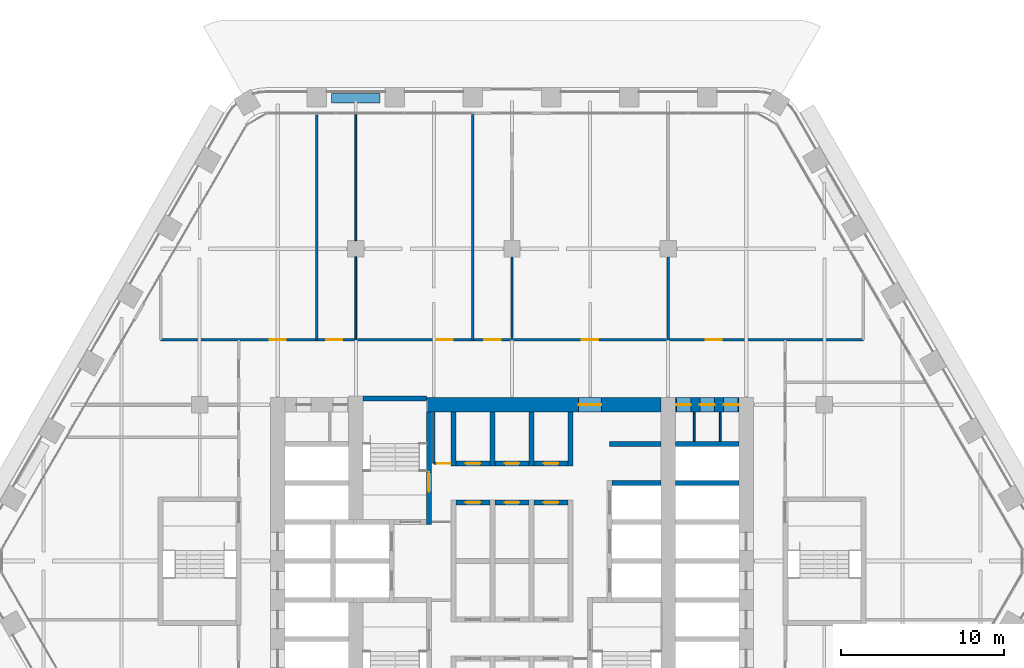
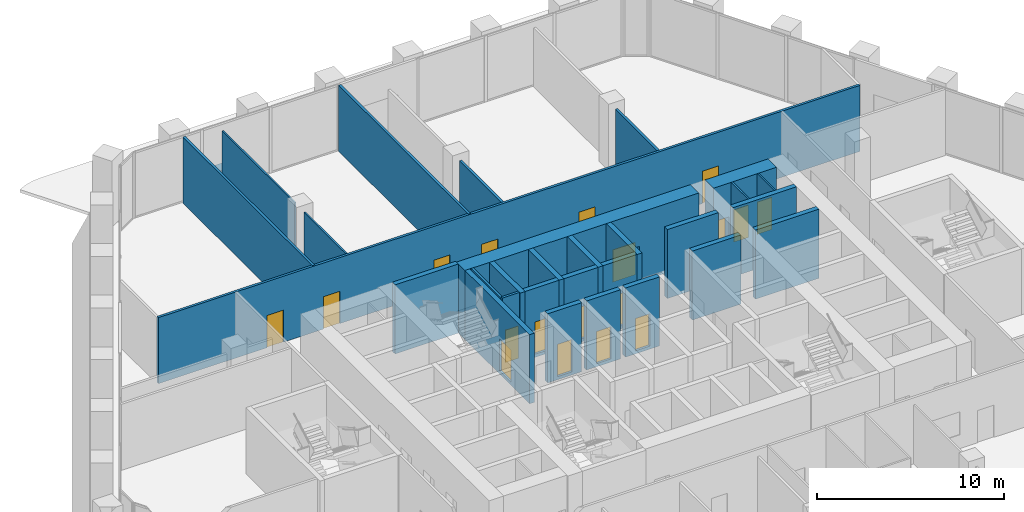
# One storey, part 16 of 23: 30 walls, 18 doors, 18 openings.
"""IFC4 building model written with IfcOpenShell, lengths in metres."""

from ifc_helpers import new_model, si_unit, direction, frame, frame_2d, origin, place, context, subcontext, project, spatial, rectangle, extrude, material, layer, layer_set, type_object, element, fill, save


model = new_model("IFC4")

# Units and contexts
model_context = context("Model", 3, precision=1e-05, world=origin(), true_north=direction((0.0, 1.0)))
body_context = subcontext(model_context, "Body", "Model", "MODEL_VIEW")
ifc_project = project(units=[si_unit("LENGTHUNIT", "METRE"), si_unit("AREAUNIT", "SQUARE_METRE"), si_unit("VOLUMEUNIT", "CUBIC_METRE"), si_unit("PLANEANGLEUNIT", "RADIAN"), si_unit("MASSUNIT", "GRAM", prefix="KILO")], contexts=[model_context])

# Site, building, storey
site_placement = place(None, origin())
site = spatial("IfcSite", under=ifc_project, at=site_placement, CompositionType="ELEMENT")
building_placement = place(site_placement, origin())
building = spatial("IfcBuilding", under=site, at=building_placement, Name="Kolab Exchange Tower", CompositionType="ELEMENT")
storey_placement = place(building_placement, frame((0.0, 0.0, 77.89990234375)))
storey = spatial("IfcBuildingStorey", under=building, at=storey_placement, Name="L14", CompositionType="ELEMENT", Elevation=77.89990234375)

# Wall, opening, door
ifc_material_1 = material(Name="Concrete C70/85", Category="concrete")
ifc_layer_1 = layer(ifc_material_1, 0.89990234375)
ifc_layer_set_1 = layer_set([ifc_layer_1], Name="Concrete C70/85")
wall_type_1 = type_object("IfcWallType", Name="CORE WALL 900 C70/85", PredefinedType="SHEAR", material=ifc_layer_set_1)
wall_1_placement = place(storey_placement, frame((-5.25, 9.60009765625, -0.199951171875), z_axis=(0.0, 0.0, 1.0), x_axis=(1.0, 0.0, 0.0)))
wall_1 = element("IfcWall", 1, at=wall_1_placement, inside=storey, type_object=wall_type_1, Name="wall/L14/core/052", PredefinedType="SHEAR", context=body_context, shape_type="SweptSolid", body=[
    extrude(rectangle(XDim=14.39990234375, YDim=0.89990234375, at=frame_2d((7.199951171875, 0.0))), origin(), (0.0, 0.0, 1.0), 4.5),
])
opening_1_placement = place(wall_1_placement, frame((9.35009765625, 0.0, 0.199951171875)))
opening_1 = element("IfcOpeningElement", 2, at=opening_1_placement, cuts=wall_1, Name="Opening D5-008", PredefinedType="OPENING", context=body_context, shape_type="SweptSolid", body=[
    extrude(rectangle(XDim=1.39990234375, YDim=2.10009765625, at=frame_2d((0.699951171875, 1.050048828125))), frame((0.0, 0.4599609375, 0.0), z_axis=(0.0, -1.0, 0.0), x_axis=(1.0, 0.0, 0.0)), (0.0, 0.0, 1.0), 0.919921875),
])
ifc_material_2 = material(Name="Steel S235", Category="steel")
door_type_1 = type_object("IfcDoorType", Name="CORE DOOR 1400 EI 120", OperationType="DOUBLE_DOOR_SINGLE_SWING", PredefinedType="DOOR", material=ifc_material_2)
door_1_placement = place(opening_1_placement, frame((1.39990234375, 0.0, 0.0), z_axis=(0.0, 0.0, 1.0), x_axis=(-1.0, 0.0, 0.0)))
door_1 = element("IfcDoor", 3, at=door_1_placement, inside=storey, type_object=door_type_1, Name="Core lobby door", OperationType="SINGLE_SWING_LEFT", OverallHeight=2.10009765625, OverallWidth=1.39990234375, PredefinedType="DOOR", context=body_context, shape_type="SweptSolid", body=[
    extrude(rectangle(XDim=1.39990234375, YDim=2.10009765625, at=frame_2d((0.699951171875, 1.050048828125))), frame((0.0, 0.02490234375, 0.0), z_axis=(0.0, -1.0, 0.0), x_axis=(1.0, 0.0, 0.0)), (0.0, 0.0, 1.0), 0.050048828125),
])
fill(opening_1, door_1)

# Wall, openings, doors
wall_2_placement = place(storey_placement, frame((10.050048828125, 9.60009765625, -0.199951171875), z_axis=(0.0, 0.0, 1.0), x_axis=(1.0, 0.0, 0.0)))
wall_2 = element("IfcWall", 4, at=wall_2_placement, inside=storey, type_object=wall_type_1, Name="wall/L14/core/053", PredefinedType="SHEAR", context=body_context, shape_type="SweptSolid", body=[
    extrude(rectangle(XDim=3.89990234375, YDim=0.89990234375, at=frame_2d((1.949951171875, 0.0))), origin(), (0.0, 0.0, 1.0), 4.5),
])
opening_2_placement = place(wall_2_placement, frame((0.050048828125, 0.0, 0.199951171875)))
opening_2 = element("IfcOpeningElement", 5, at=opening_2_placement, cuts=wall_2, Name="Opening D6-211", PredefinedType="OPENING", context=body_context, shape_type="SweptSolid", body=[
    extrude(rectangle(XDim=0.89990234375, YDim=2.10009765625, at=frame_2d((0.449951171875, 1.050048828125))), frame((0.0, 0.4599609375, 0.0), z_axis=(0.0, -1.0, 0.0), x_axis=(1.0, 0.0, 0.0)), (0.0, 0.0, 1.0), 0.919921875),
])
opening_3_placement = place(wall_2_placement, frame((1.5, 0.0, 0.199951171875)))
opening_3 = element("IfcOpeningElement", 6, at=opening_3_placement, cuts=wall_2, Name="Opening D6-212", PredefinedType="OPENING", context=body_context, shape_type="SweptSolid", body=[
    extrude(rectangle(XDim=0.89990234375, YDim=2.10009765625, at=frame_2d((0.449951171875, 1.050048828125))), frame((0.0, 0.4599609375, 0.0), z_axis=(0.0, -1.0, 0.0), x_axis=(1.0, 0.0, 0.0)), (0.0, 0.0, 1.0), 0.919921875),
])
opening_4_placement = place(wall_2_placement, frame((2.949951171875, 0.0, 0.199951171875)))
opening_4 = element("IfcOpeningElement", 7, at=opening_4_placement, cuts=wall_2, Name="Opening D6-213", PredefinedType="OPENING", context=body_context, shape_type="SweptSolid", body=[
    extrude(rectangle(XDim=0.89990234375, YDim=2.10009765625, at=frame_2d((0.449951171875, 1.050048828125))), frame((0.0, 0.4599609375, 0.0), z_axis=(0.0, -1.0, 0.0), x_axis=(1.0, 0.0, 0.0)), (0.0, 0.0, 1.0), 0.919921875),
])
door_type_2 = type_object("IfcDoorType", Name="CORE DOOR 900 EI 120", OperationType="SINGLE_SWING_LEFT", PredefinedType="DOOR", material=ifc_material_2)
door_2_placement = place(opening_2_placement, frame((0.89990234375, 0.0, 0.0), z_axis=(0.0, 0.0, 1.0), x_axis=(-1.0, 0.0, 0.0)))
door_2 = element("IfcDoor", 8, at=door_2_placement, inside=storey, type_object=door_type_2, Name="Service room door", OperationType="SINGLE_SWING_RIGHT", OverallHeight=2.10009765625, OverallWidth=0.89990234375, PredefinedType="DOOR", context=body_context, shape_type="SweptSolid", body=[
    extrude(rectangle(XDim=0.89990234375, YDim=2.10009765625, at=frame_2d((0.449951171875, 1.050048828125))), frame((0.0, 0.02490234375, 0.0), z_axis=(0.0, -1.0, 0.0), x_axis=(1.0, 0.0, 0.0)), (0.0, 0.0, 1.0), 0.050048828125),
])
fill(opening_2, door_2)
door_3_placement = place(opening_3_placement, frame((0.89990234375, 0.0, 0.0), z_axis=(0.0, 0.0, 1.0), x_axis=(-1.0, 0.0, 0.0)))
door_3 = element("IfcDoor", 9, at=door_3_placement, inside=storey, type_object=door_type_2, Name="Service room door", OperationType="SINGLE_SWING_LEFT", OverallHeight=2.10009765625, OverallWidth=0.89990234375, PredefinedType="DOOR", context=body_context, shape_type="SweptSolid", body=[
    extrude(rectangle(XDim=0.89990234375, YDim=2.10009765625, at=frame_2d((0.449951171875, 1.050048828125))), frame((0.0, 0.02490234375, 0.0), z_axis=(0.0, -1.0, 0.0), x_axis=(1.0, 0.0, 0.0)), (0.0, 0.0, 1.0), 0.050048828125),
])
fill(opening_3, door_3)
door_4_placement = place(opening_4_placement, frame((0.89990234375, 0.0, 0.0), z_axis=(0.0, 0.0, 1.0), x_axis=(-1.0, 0.0, 0.0)))
door_4 = element("IfcDoor", 10, at=door_4_placement, inside=storey, type_object=door_type_2, Name="Service room door", OperationType="SINGLE_SWING_LEFT", OverallHeight=2.10009765625, OverallWidth=0.89990234375, PredefinedType="DOOR", context=body_context, shape_type="SweptSolid", body=[
    extrude(rectangle(XDim=0.89990234375, YDim=2.10009765625, at=frame_2d((0.449951171875, 1.050048828125))), frame((0.0, 0.02490234375, 0.0), z_axis=(0.0, -1.0, 0.0), x_axis=(1.0, 0.0, 0.0)), (0.0, 0.0, 1.0), 0.050048828125),
])
fill(opening_4, door_4)

# Wall, opening, door
ifc_material_3 = material(Name="Concrete C50/60", Category="concrete")
ifc_layer_2 = layer(ifc_material_3, 0.300048828125)
ifc_layer_set_2 = layer_set([ifc_layer_2], Name="Concrete C50/60")
wall_type_2 = type_object("IfcWallType", Name="LIFT SHAFT WALL 300 C50/60", PredefinedType="STANDARD", material=ifc_layer_set_2)
wall_3_placement = place(storey_placement, frame((-3.449951171875, 3.60009765625, -0.199951171875), z_axis=(0.0, 0.0, 1.0), x_axis=(1.0, 0.0, 0.0)))
wall_3 = element("IfcWall", 11, at=wall_3_placement, inside=storey, type_object=wall_type_2, Name="wall/L14/core/037", PredefinedType="STANDARD", context=body_context, shape_type="SweptSolid", body=[
    extrude(rectangle(XDim=2.099853515625, YDim=0.300048828125, at=frame_2d((1.0498046875, 0.0))), origin(), (0.0, 0.0, 1.0), 4.5),
])
opening_5_placement = place(wall_3_placement, frame((0.60009765625, 0.0, 0.199951171875)))
opening_5 = element("IfcOpeningElement", 12, at=opening_5_placement, cuts=wall_3, Name="Opening D6-196", PredefinedType="OPENING", context=body_context, shape_type="SweptSolid", body=[
    extrude(rectangle(XDim=0.89990234375, YDim=2.10009765625, at=frame_2d((0.449951171875, 1.050048828125))), frame((0.0, 0.16015625, 0.0), z_axis=(0.0, -1.0, 0.0), x_axis=(1.0, 0.0, 0.0)), (0.0, 0.0, 1.0), 0.320068359375),
])
door_5_placement = place(opening_5_placement, frame((0.89990234375, 0.0, 0.0), z_axis=(0.0, 0.0, 1.0), x_axis=(-1.0, 0.0, 0.0)))
door_5 = element("IfcDoor", 13, at=door_5_placement, inside=storey, type_object=door_type_2, Name="Service room door", OperationType="SINGLE_SWING_LEFT", OverallHeight=2.10009765625, OverallWidth=0.89990234375, PredefinedType="DOOR", context=body_context, shape_type="SweptSolid", body=[
    extrude(rectangle(XDim=0.89990234375, YDim=2.10009765625, at=frame_2d((0.449951171875, 1.050048828125))), frame((0.0, 0.02490234375, 0.0), z_axis=(0.0, -1.0, 0.0), x_axis=(1.0, 0.0, 0.0)), (0.0, 0.0, 1.0), 0.050048828125),
])
fill(opening_5, door_5)

wall_4_placement = place(storey_placement, frame((-1.050048828125, 3.60009765625, -0.199951171875), z_axis=(0.0, 0.0, 1.0), x_axis=(1.0, 0.0, 0.0)))
wall_4 = element("IfcWall", 14, at=wall_4_placement, inside=storey, type_object=wall_type_2, Name="wall/L14/core/038", PredefinedType="STANDARD", context=body_context, shape_type="SweptSolid", body=[
    extrude(rectangle(XDim=2.10009765625, YDim=0.300048828125, at=frame_2d((1.050048828125, 0.0))), origin(), (0.0, 0.0, 1.0), 4.5),
])
opening_6_placement = place(wall_4_placement, frame((0.60009765625, 0.0, 0.199951171875)))
opening_6 = element("IfcOpeningElement", 15, at=opening_6_placement, cuts=wall_4, Name="Opening D6-195", PredefinedType="OPENING", context=body_context, shape_type="SweptSolid", body=[
    extrude(rectangle(XDim=0.89990234375, YDim=2.10009765625, at=frame_2d((0.449951171875, 1.050048828125))), frame((0.0, 0.16015625, 0.0), z_axis=(0.0, -1.0, 0.0), x_axis=(1.0, 0.0, 0.0)), (0.0, 0.0, 1.0), 0.320068359375),
])
door_6_placement = place(opening_6_placement, frame((0.89990234375, 0.0, 0.0), z_axis=(0.0, 0.0, 1.0), x_axis=(-1.0, 0.0, 0.0)))
door_6 = element("IfcDoor", 16, at=door_6_placement, inside=storey, type_object=door_type_2, Name="Service room door", OperationType="SINGLE_SWING_LEFT", OverallHeight=2.10009765625, OverallWidth=0.89990234375, PredefinedType="DOOR", context=body_context, shape_type="SweptSolid", body=[
    extrude(rectangle(XDim=0.89990234375, YDim=2.10009765625, at=frame_2d((0.449951171875, 1.050048828125))), frame((0.0, 0.02490234375, 0.0), z_axis=(0.0, -1.0, 0.0), x_axis=(1.0, 0.0, 0.0)), (0.0, 0.0, 1.0), 0.050048828125),
])
fill(opening_6, door_6)

wall_5_placement = place(storey_placement, frame((1.35009765625, 3.60009765625, -0.199951171875), z_axis=(0.0, 0.0, 1.0), x_axis=(1.0, 0.0, 0.0)))
wall_5 = element("IfcWall", 17, at=wall_5_placement, inside=storey, type_object=wall_type_2, Name="wall/L14/core/039", PredefinedType="STANDARD", context=body_context, shape_type="SweptSolid", body=[
    extrude(rectangle(XDim=2.099853515625, YDim=0.300048828125, at=frame_2d((1.0498046875, 0.0))), origin(), (0.0, 0.0, 1.0), 4.5),
])
opening_7_placement = place(wall_5_placement, frame((0.60009765625, 0.0, 0.199951171875)))
opening_7 = element("IfcOpeningElement", 18, at=opening_7_placement, cuts=wall_5, Name="Opening D6-194", PredefinedType="OPENING", context=body_context, shape_type="SweptSolid", body=[
    extrude(rectangle(XDim=0.89990234375, YDim=2.10009765625, at=frame_2d((0.449951171875, 1.050048828125))), frame((0.0, 0.16015625, 0.0), z_axis=(0.0, -1.0, 0.0), x_axis=(1.0, 0.0, 0.0)), (0.0, 0.0, 1.0), 0.320068359375),
])
door_7_placement = place(opening_7_placement, frame((0.89990234375, 0.0, 0.0), z_axis=(0.0, 0.0, 1.0), x_axis=(-1.0, 0.0, 0.0)))
door_7 = element("IfcDoor", 19, at=door_7_placement, inside=storey, type_object=door_type_2, Name="Service room door", OperationType="SINGLE_SWING_RIGHT", OverallHeight=2.10009765625, OverallWidth=0.89990234375, PredefinedType="DOOR", context=body_context, shape_type="SweptSolid", body=[
    extrude(rectangle(XDim=0.89990234375, YDim=2.10009765625, at=frame_2d((0.449951171875, 1.050048828125))), frame((0.0, 0.02490234375, 0.0), z_axis=(0.0, -1.0, 0.0), x_axis=(1.0, 0.0, 0.0)), (0.0, 0.0, 1.0), 0.050048828125),
])
fill(opening_7, door_7)

# Walls
wall_6_placement = place(storey_placement, frame((6.14990234375, 4.800048828125, -0.199951171875), z_axis=(0.0, 0.0, 1.0), x_axis=(1.0, 0.0, 0.0)))
element("IfcWall", 20, at=wall_6_placement, inside=storey, type_object=wall_type_2, Name="wall/L14/core/043", PredefinedType="STANDARD", context=body_context, shape_type="SweptSolid", body=[
    extrude(rectangle(XDim=3.0, YDim=0.300048828125, at=frame_2d((1.5, 0.0))), origin(), (0.0, 0.0, 1.0), 4.5),
])
wall_7_placement = place(storey_placement, frame((10.050048828125, 4.800048828125, -0.199951171875), z_axis=(0.0, 0.0, 1.0), x_axis=(1.0, 0.0, 0.0)))
element("IfcWall", 21, at=wall_7_placement, inside=storey, type_object=wall_type_2, Name="wall/L14/core/044", PredefinedType="STANDARD", context=body_context, shape_type="SweptSolid", body=[
    extrude(rectangle(XDim=3.89990234375, YDim=0.300048828125, at=frame_2d((1.949951171875, 0.0))), origin(), (0.0, 0.0, 1.0), 4.5),
])

# Wall, opening, door
wall_8_placement = place(storey_placement, frame((-3.449951171875, 6.0, -0.199951171875), z_axis=(0.0, 0.0, 1.0), x_axis=(1.0, 0.0, 0.0)))
wall_8 = element("IfcWall", 22, at=wall_8_placement, inside=storey, type_object=wall_type_2, Name="wall/L14/core/045", PredefinedType="STANDARD", context=body_context, shape_type="SweptSolid", body=[
    extrude(rectangle(XDim=2.099853515625, YDim=0.300048828125, at=frame_2d((1.0498046875, 0.0))), origin(), (0.0, 0.0, 1.0), 4.5),
])
opening_8_placement = place(wall_8_placement, frame((0.60009765625, 0.0, 0.199951171875)))
opening_8 = element("IfcOpeningElement", 23, at=opening_8_placement, cuts=wall_8, Name="Opening D6-193", PredefinedType="OPENING", context=body_context, shape_type="SweptSolid", body=[
    extrude(rectangle(XDim=0.89990234375, YDim=2.10009765625, at=frame_2d((0.449951171875, 1.050048828125))), frame((0.0, 0.16015625, 0.0), z_axis=(0.0, -1.0, 0.0), x_axis=(1.0, 0.0, 0.0)), (0.0, 0.0, 1.0), 0.320068359375),
])
door_8_placement = place(opening_8_placement, origin())
door_8 = element("IfcDoor", 24, at=door_8_placement, inside=storey, type_object=door_type_2, Name="Service room door", OperationType="SINGLE_SWING_LEFT", OverallHeight=2.10009765625, OverallWidth=0.89990234375, PredefinedType="DOOR", context=body_context, shape_type="SweptSolid", body=[
    extrude(rectangle(XDim=0.89990234375, YDim=2.10009765625, at=frame_2d((0.449951171875, 1.050048828125))), frame((0.0, 0.02490234375, 0.0), z_axis=(0.0, -1.0, 0.0), x_axis=(1.0, 0.0, 0.0)), (0.0, 0.0, 1.0), 0.050048828125),
])
fill(opening_8, door_8)

wall_9_placement = place(storey_placement, frame((-1.050048828125, 6.0, -0.199951171875), z_axis=(0.0, 0.0, 1.0), x_axis=(1.0, 0.0, 0.0)))
wall_9 = element("IfcWall", 25, at=wall_9_placement, inside=storey, type_object=wall_type_2, Name="wall/L14/core/046", PredefinedType="STANDARD", context=body_context, shape_type="SweptSolid", body=[
    extrude(rectangle(XDim=2.10009765625, YDim=0.300048828125, at=frame_2d((1.050048828125, 0.0))), origin(), (0.0, 0.0, 1.0), 4.5),
])
opening_9_placement = place(wall_9_placement, frame((0.60009765625, 0.0, 0.199951171875)))
opening_9 = element("IfcOpeningElement", 26, at=opening_9_placement, cuts=wall_9, Name="Opening D6-192", PredefinedType="OPENING", context=body_context, shape_type="SweptSolid", body=[
    extrude(rectangle(XDim=0.89990234375, YDim=2.10009765625, at=frame_2d((0.449951171875, 1.050048828125))), frame((0.0, 0.16015625, 0.0), z_axis=(0.0, -1.0, 0.0), x_axis=(1.0, 0.0, 0.0)), (0.0, 0.0, 1.0), 0.320068359375),
])
door_9_placement = place(opening_9_placement, origin())
door_9 = element("IfcDoor", 27, at=door_9_placement, inside=storey, type_object=door_type_2, Name="Service room door", OperationType="SINGLE_SWING_LEFT", OverallHeight=2.10009765625, OverallWidth=0.89990234375, PredefinedType="DOOR", context=body_context, shape_type="SweptSolid", body=[
    extrude(rectangle(XDim=0.89990234375, YDim=2.10009765625, at=frame_2d((0.449951171875, 1.050048828125))), frame((0.0, 0.02490234375, 0.0), z_axis=(0.0, -1.0, 0.0), x_axis=(1.0, 0.0, 0.0)), (0.0, 0.0, 1.0), 0.050048828125),
])
fill(opening_9, door_9)

wall_10_placement = place(storey_placement, frame((1.35009765625, 6.0, -0.199951171875), z_axis=(0.0, 0.0, 1.0), x_axis=(1.0, 0.0, 0.0)))
wall_10 = element("IfcWall", 28, at=wall_10_placement, inside=storey, type_object=wall_type_2, Name="wall/L14/core/047", PredefinedType="STANDARD", context=body_context, shape_type="SweptSolid", body=[
    extrude(rectangle(XDim=2.099853515625, YDim=0.300048828125, at=frame_2d((1.0498046875, 0.0))), origin(), (0.0, 0.0, 1.0), 4.5),
])
opening_10_placement = place(wall_10_placement, frame((0.60009765625, 0.0, 0.199951171875)))
opening_10 = element("IfcOpeningElement", 29, at=opening_10_placement, cuts=wall_10, Name="Opening D6-191", PredefinedType="OPENING", context=body_context, shape_type="SweptSolid", body=[
    extrude(rectangle(XDim=0.89990234375, YDim=2.10009765625, at=frame_2d((0.449951171875, 1.050048828125))), frame((0.0, 0.16015625, 0.0), z_axis=(0.0, -1.0, 0.0), x_axis=(1.0, 0.0, 0.0)), (0.0, 0.0, 1.0), 0.320068359375),
])
door_10_placement = place(opening_10_placement, origin())
door_10 = element("IfcDoor", 30, at=door_10_placement, inside=storey, type_object=door_type_2, Name="Service room door", OperationType="SINGLE_SWING_RIGHT", OverallHeight=2.10009765625, OverallWidth=0.89990234375, PredefinedType="DOOR", context=body_context, shape_type="SweptSolid", body=[
    extrude(rectangle(XDim=0.89990234375, YDim=2.10009765625, at=frame_2d((0.449951171875, 1.050048828125))), frame((0.0, 0.02490234375, 0.0), z_axis=(0.0, -1.0, 0.0), x_axis=(1.0, 0.0, 0.0)), (0.0, 0.0, 1.0), 0.050048828125),
])
fill(opening_10, door_10)

# Walls
wall_11_placement = place(storey_placement, frame((6.0, 7.199951171875, -0.199951171875), z_axis=(0.0, 0.0, 1.0), x_axis=(1.0, 0.0, 0.0)))
element("IfcWall", 31, at=wall_11_placement, inside=storey, type_object=wall_type_2, Name="wall/L14/core/049", PredefinedType="STANDARD", context=body_context, shape_type="SweptSolid", body=[
    extrude(rectangle(XDim=3.14990234375, YDim=0.300048828125, at=frame_2d((1.574951171875, 0.0))), origin(), (0.0, 0.0, 1.0), 4.5),
])
wall_12_placement = place(storey_placement, frame((10.050048828125, 7.199951171875, -0.199951171875), z_axis=(0.0, 0.0, 1.0), x_axis=(1.0, 0.0, 0.0)))
element("IfcWall", 32, at=wall_12_placement, inside=storey, type_object=wall_type_2, Name="wall/L14/core/050", PredefinedType="STANDARD", context=body_context, shape_type="SweptSolid", body=[
    extrude(rectangle(XDim=3.89990234375, YDim=0.300048828125, at=frame_2d((1.949951171875, 0.0))), origin(), (0.0, 0.0, 1.0), 4.5),
])
for number, where, z_axis, x_axis, name in (
    (33, (-3.60009765625, 5.85009765625, -0.199951171875), (0.0, 0.0, 1.0), (0.0, 1.0, 0.0), "wall/L14/core/068"),
    (34, (-1.199951171875, 5.85009765625, -0.199951171875), (0.0, 0.0, 1.0), (0.0, 1.0, 0.0), "wall/L14/core/071"),
    (35, (1.199951171875, 5.85009765625, -0.199951171875), (0.0, 0.0, 1.0), (0.0, 1.0, 0.0), "wall/L14/core/074"),
    (36, (3.60009765625, 5.85009765625, -0.199951171875), (0.0, 0.0, 1.0), (0.0, 1.0, 0.0), "wall/L14/core/077"),
):
    element("IfcWall", number, at=place(storey_placement, frame(where, z_axis=z_axis, x_axis=x_axis)), inside=storey, type_object=wall_type_2, Name=name, PredefinedType="STANDARD", context=body_context, shape_type="SweptSolid", body=[
        extrude(rectangle(XDim=3.2998046875, YDim=0.300048828125, at=frame_2d((1.64990234375, 0.0))), origin(), (0.0, 0.0, 1.0), 4.5),
    ])
ifc_material_4 = material(Name="Gypsum board", Category="gypsum")
ifc_layer_3 = layer(ifc_material_4, 0.10009765625)
ifc_layer_set_3 = layer_set([ifc_layer_3], Name="Gypsum board")
wall_type_3 = type_object("IfcWallType", Name="PARTITION 100", PredefinedType="PARTITIONING", material=ifc_layer_set_3)
for number, where, z_axis, x_axis, name in (
    (37, (12.800048828125, 7.35009765625, 0.0), (0.0, 0.0, 1.0), (0.0, 1.0, 0.0), "Partition 004"),
    (38, (11.199951171875, 7.35009765625, 0.0), (0.0, 0.0, 1.0), (0.0, 1.0, 0.0), "Partition 006"),
):
    element("IfcWall", number, at=place(storey_placement, frame(where, z_axis=z_axis, x_axis=x_axis)), inside=storey, type_object=wall_type_3, Name=name, PredefinedType="PARTITIONING", context=body_context, shape_type="SweptSolid", body=[
        extrude(rectangle(XDim=1.7998046875, YDim=0.10009765625, at=frame_2d((0.89990234375, 0.0))), origin(), (0.0, 0.0, 1.0), 4.300048828125),
    ])
wall_13_placement = place(storey_placement, frame((-9.60009765625, 13.60009765625, 0.0), z_axis=(0.0, 0.0, 1.0), x_axis=(0.0, 1.0, 0.0)))
element("IfcWall", 39, at=wall_13_placement, inside=storey, type_object=wall_type_3, Name="Partition 021", PredefinedType="PARTITIONING", context=body_context, shape_type="SweptSolid", body=[
    extrude(rectangle(XDim=5.099853515625, YDim=0.10009765625, at=frame_2d((2.5498046875, 0.0))), origin(), (0.0, 0.0, 1.0), 3.843017578125),
])
wall_14_placement = place(storey_placement, frame((-9.60009765625, 19.699951171875, 0.0), z_axis=(0.0, 0.0, 1.0), x_axis=(0.0, 1.0, 0.0)))
element("IfcWall", 40, at=wall_14_placement, inside=storey, type_object=wall_type_3, Name="Partition 022", PredefinedType="PARTITIONING", context=body_context, shape_type="SweptSolid", body=[
    extrude(rectangle(XDim=7.728515625, YDim=0.10009765625, at=frame_2d((3.8642578125, 0.0))), origin(), (0.0, 0.0, 1.0), 3.843017578125),
])
ifc_layer_4 = layer(ifc_material_4, 0.14990234375)
ifc_layer_set_4 = layer_set([ifc_layer_4], Name="Gypsum board")
wall_type_4 = type_object("IfcWallType", Name="PARTITION 150 FIRE-RATED", PredefinedType="PARTITIONING", material=ifc_layer_set_4)
for number, where, z_axis, x_axis, name in (
    (41, (9.60009765625, 13.60009765625, 0.0), (0.0, 0.0, 1.0), (0.0, 1.0, 0.0), "Partition 009"),
    (42, (0.0, 13.60009765625, 0.0), (0.0, 0.0, 1.0), (0.0, 1.0, 0.0), "Partition 016"),
):
    element("IfcWall", number, at=place(storey_placement, frame(where, z_axis=z_axis, x_axis=x_axis)), inside=storey, type_object=wall_type_4, Name=name, PredefinedType="PARTITIONING", context=body_context, shape_type="SweptSolid", body=[
        extrude(rectangle(XDim=5.099853515625, YDim=0.14990234375, at=frame_2d((2.5498046875, 0.0))), origin(), (0.0, 0.0, 1.0), 3.843017578125),
    ])
wall_15_placement = place(storey_placement, frame((-2.39990234375, 13.60009765625, 0.0), z_axis=(0.0, 0.0, 1.0), x_axis=(0.0, 1.0, 0.0)))
element("IfcWall", 43, at=wall_15_placement, inside=storey, type_object=wall_type_4, Name="Partition 018", PredefinedType="PARTITIONING", context=body_context, shape_type="SweptSolid", body=[
    extrude(rectangle(XDim=13.83837890625, YDim=0.14990234375, at=frame_2d((6.919189453125, 0.0))), origin(), (0.0, 0.0, 1.0), 4.300048828125),
])
wall_16_placement = place(storey_placement, frame((-4.800048828125, 6.0, 0.0), z_axis=(0.0, 0.0, 1.0), x_axis=(0.0, 1.0, 0.0)))
element("IfcWall", 44, at=wall_16_placement, inside=storey, type_object=wall_type_4, Name="Partition 020", PredefinedType="PARTITIONING", context=body_context, shape_type="SweptSolid", body=[
    extrude(rectangle(XDim=3.14990234375, YDim=0.14990234375, at=frame_2d((1.574951171875, 0.0))), origin(), (0.0, 0.0, 1.0), 4.300048828125),
])
wall_17_placement = place(storey_placement, frame((-12.0, 13.60009765625, 0.0), z_axis=(0.0, 0.0, 1.0), x_axis=(0.0, 1.0, 0.0)))
element("IfcWall", 45, at=wall_17_placement, inside=storey, type_object=wall_type_4, Name="Partition 028", PredefinedType="PARTITIONING", context=body_context, shape_type="SweptSolid", body=[
    extrude(rectangle(XDim=13.828369140625, YDim=0.14990234375, at=frame_2d((6.9140625, 0.0))), origin(), (0.0, 0.0, 1.0), 4.300048828125),
])

# Wall, opening, door
wall_18_placement = place(storey_placement, frame((-4.800048828125, 6.0, 0.0), z_axis=(0.0, 0.0, 1.0), x_axis=(1.0, 0.0, 0.0)))
wall_18 = element("IfcWall", 46, at=wall_18_placement, inside=storey, type_object=wall_type_4, Name="Partition 042", PredefinedType="PARTITIONING", context=body_context, shape_type="SweptSolid", body=[
    extrude(rectangle(XDim=1.050048828125, YDim=0.14990234375, at=frame_2d((0.52490234375, 0.0))), origin(), (0.0, 0.0, 1.0), 4.300048828125),
])
opening_11_placement = place(wall_18_placement, frame((0.199951171875, 0.0, 0.0)))
opening_11 = element("IfcOpeningElement", 47, at=opening_11_placement, cuts=wall_18, Name="Opening D7-018", PredefinedType="OPENING", context=body_context, shape_type="SweptSolid", body=[
    extrude(rectangle(XDim=0.800048828125, YDim=2.10009765625, at=frame_2d((0.39990234375, 1.050048828125))), frame((0.0, 0.0849609375, 0.0), z_axis=(0.0, -1.0, 0.0), x_axis=(1.0, 0.0, 0.0)), (0.0, 0.0, 1.0), 0.169921875),
])
door_type_3 = type_object("IfcDoorType", Name="FLUSH DOOR 800 FD60", OperationType="SINGLE_SWING_LEFT", PredefinedType="DOOR", material=ifc_material_2)
door_11_placement = place(opening_11_placement, origin())
door_11 = element("IfcDoor", 48, at=door_11_placement, inside=storey, type_object=door_type_3, Name="Door L14-042", OperationType="SINGLE_SWING_RIGHT", OverallHeight=2.10009765625, OverallWidth=0.800048828125, PredefinedType="DOOR", context=body_context, shape_type="SweptSolid", body=[
    extrude(rectangle(XDim=0.800048828125, YDim=2.10009765625, at=frame_2d((0.39990234375, 1.050048828125))), frame((0.0, 0.02490234375, 0.0), z_axis=(0.0, -1.0, 0.0), x_axis=(1.0, 0.0, 0.0)), (0.0, 0.0, 1.0), 0.050048828125),
])
fill(opening_11, door_11)

# Wall, openings, doors
wall_19_placement = place(storey_placement, frame((-21.60009765625, 13.60009765625, 0.0), z_axis=(0.0, 0.0, 1.0), x_axis=(1.0, 0.0, 0.0)))
wall_19 = element("IfcWall", 49, at=wall_19_placement, inside=storey, type_object=wall_type_4, Name="Partition 047", PredefinedType="PARTITIONING", context=body_context, shape_type="SweptSolid", body=[
    extrude(rectangle(XDim=43.2001953125, YDim=0.14990234375, at=frame_2d((21.60009765625, 0.0))), origin(), (0.0, 0.0, 1.0), 4.300048828125),
])
opening_12_placement = place(wall_19_placement, frame((6.699951171875, 0.0, 0.0)))
opening_12 = element("IfcOpeningElement", 50, at=opening_12_placement, cuts=wall_19, Name="Opening D1-200", PredefinedType="OPENING", context=body_context, shape_type="SweptSolid", body=[
    extrude(rectangle(XDim=1.0, YDim=2.10009765625, at=frame_2d((0.5, 1.050048828125))), frame((0.0, 0.0849609375, 0.0), z_axis=(0.0, -1.0, 0.0), x_axis=(1.0, 0.0, 0.0)), (0.0, 0.0, 1.0), 0.169921875),
])
opening_13_placement = place(wall_19_placement, frame((10.175048828125, 0.0, 0.0)))
opening_13 = element("IfcOpeningElement", 51, at=opening_13_placement, cuts=wall_19, Name="Opening D1-201", PredefinedType="OPENING", context=body_context, shape_type="SweptSolid", body=[
    extrude(rectangle(XDim=1.0, YDim=2.10009765625, at=frame_2d((0.5, 1.050048828125))), frame((0.0, 0.0849609375, 0.0), z_axis=(0.0, -1.0, 0.0), x_axis=(1.0, 0.0, 0.0)), (0.0, 0.0, 1.0), 0.169921875),
])
opening_14_placement = place(wall_19_placement, frame((16.955078125, 0.0, 0.0)))
opening_14 = element("IfcOpeningElement", 52, at=opening_14_placement, cuts=wall_19, Name="Opening D1-202", PredefinedType="OPENING", context=body_context, shape_type="SweptSolid", body=[
    extrude(rectangle(XDim=1.0, YDim=2.10009765625, at=frame_2d((0.5, 1.050048828125))), frame((0.0, 0.0849609375, 0.0), z_axis=(0.0, -1.0, 0.0), x_axis=(1.0, 0.0, 0.0)), (0.0, 0.0, 1.0), 0.169921875),
])
opening_15_placement = place(wall_19_placement, frame((19.89990234375, 0.0, 0.0)))
opening_15 = element("IfcOpeningElement", 53, at=opening_15_placement, cuts=wall_19, Name="Opening D1-203", PredefinedType="OPENING", context=body_context, shape_type="SweptSolid", body=[
    extrude(rectangle(XDim=1.0, YDim=2.10009765625, at=frame_2d((0.5, 1.050048828125))), frame((0.0, 0.0849609375, 0.0), z_axis=(0.0, -1.0, 0.0), x_axis=(1.0, 0.0, 0.0)), (0.0, 0.0, 1.0), 0.169921875),
])
opening_16_placement = place(wall_19_placement, frame((25.89990234375, 0.0, 0.0)))
opening_16 = element("IfcOpeningElement", 54, at=opening_16_placement, cuts=wall_19, Name="Opening D1-204", PredefinedType="OPENING", context=body_context, shape_type="SweptSolid", body=[
    extrude(rectangle(XDim=1.0, YDim=2.10009765625, at=frame_2d((0.5, 1.050048828125))), frame((0.0, 0.0849609375, 0.0), z_axis=(0.0, -1.0, 0.0), x_axis=(1.0, 0.0, 0.0)), (0.0, 0.0, 1.0), 0.169921875),
])
opening_17_placement = place(wall_19_placement, frame((33.5048828125, 0.0, 0.0)))
opening_17 = element("IfcOpeningElement", 55, at=opening_17_placement, cuts=wall_19, Name="Opening D1-205", PredefinedType="OPENING", context=body_context, shape_type="SweptSolid", body=[
    extrude(rectangle(XDim=1.0, YDim=2.10009765625, at=frame_2d((0.5, 1.050048828125))), frame((0.0, 0.0849609375, 0.0), z_axis=(0.0, -1.0, 0.0), x_axis=(1.0, 0.0, 0.0)), (0.0, 0.0, 1.0), 0.169921875),
])
door_type_4 = type_object("IfcDoorType", Name="FLUSH DOOR 1000 FD60", OperationType="SINGLE_SWING_LEFT", PredefinedType="DOOR", material=ifc_material_2)
door_12_placement = place(opening_12_placement, origin())
door_12 = element("IfcDoor", 56, at=door_12_placement, inside=storey, type_object=door_type_4, Name="Door L14-050", OperationType="SINGLE_SWING_RIGHT", OverallHeight=2.10009765625, OverallWidth=1.0, PredefinedType="DOOR", context=body_context, shape_type="SweptSolid", body=[
    extrude(rectangle(XDim=1.0, YDim=2.10009765625, at=frame_2d((0.5, 1.050048828125))), frame((0.0, 0.02490234375, 0.0), z_axis=(0.0, -1.0, 0.0), x_axis=(1.0, 0.0, 0.0)), (0.0, 0.0, 1.0), 0.050048828125),
])
fill(opening_12, door_12)
door_13_placement = place(opening_13_placement, origin())
door_13 = element("IfcDoor", 57, at=door_13_placement, inside=storey, type_object=door_type_4, Name="Door L14-051", OperationType="SINGLE_SWING_LEFT", OverallHeight=2.10009765625, OverallWidth=1.0, PredefinedType="DOOR", context=body_context, shape_type="SweptSolid", body=[
    extrude(rectangle(XDim=1.0, YDim=2.10009765625, at=frame_2d((0.5, 1.050048828125))), frame((0.0, 0.02490234375, 0.0), z_axis=(0.0, -1.0, 0.0), x_axis=(1.0, 0.0, 0.0)), (0.0, 0.0, 1.0), 0.050048828125),
])
fill(opening_13, door_13)
door_14_placement = place(opening_14_placement, origin())
door_14 = element("IfcDoor", 58, at=door_14_placement, inside=storey, type_object=door_type_4, Name="Door L14-052", OperationType="SINGLE_SWING_RIGHT", OverallHeight=2.10009765625, OverallWidth=1.0, PredefinedType="DOOR", context=body_context, shape_type="SweptSolid", body=[
    extrude(rectangle(XDim=1.0, YDim=2.10009765625, at=frame_2d((0.5, 1.050048828125))), frame((0.0, 0.02490234375, 0.0), z_axis=(0.0, -1.0, 0.0), x_axis=(1.0, 0.0, 0.0)), (0.0, 0.0, 1.0), 0.050048828125),
])
fill(opening_14, door_14)
door_15_placement = place(opening_15_placement, origin())
door_15 = element("IfcDoor", 59, at=door_15_placement, inside=storey, type_object=door_type_4, Name="Door L14-053", OperationType="SINGLE_SWING_LEFT", OverallHeight=2.10009765625, OverallWidth=1.0, PredefinedType="DOOR", context=body_context, shape_type="SweptSolid", body=[
    extrude(rectangle(XDim=1.0, YDim=2.10009765625, at=frame_2d((0.5, 1.050048828125))), frame((0.0, 0.02490234375, 0.0), z_axis=(0.0, -1.0, 0.0), x_axis=(1.0, 0.0, 0.0)), (0.0, 0.0, 1.0), 0.050048828125),
])
fill(opening_15, door_15)
door_16_placement = place(opening_16_placement, origin())
door_16 = element("IfcDoor", 60, at=door_16_placement, inside=storey, type_object=door_type_4, Name="Door L14-054", OperationType="SINGLE_SWING_LEFT", OverallHeight=2.10009765625, OverallWidth=1.0, PredefinedType="DOOR", context=body_context, shape_type="SweptSolid", body=[
    extrude(rectangle(XDim=1.0, YDim=2.10009765625, at=frame_2d((0.5, 1.050048828125))), frame((0.0, 0.02490234375, 0.0), z_axis=(0.0, -1.0, 0.0), x_axis=(1.0, 0.0, 0.0)), (0.0, 0.0, 1.0), 0.050048828125),
])
fill(opening_16, door_16)
door_17_placement = place(opening_17_placement, origin())
door_17 = element("IfcDoor", 61, at=door_17_placement, inside=storey, type_object=door_type_4, Name="Door L14-055", OperationType="SINGLE_SWING_LEFT", OverallHeight=2.10009765625, OverallWidth=1.0, PredefinedType="DOOR", context=body_context, shape_type="SweptSolid", body=[
    extrude(rectangle(XDim=1.0, YDim=2.10009765625, at=frame_2d((0.5, 1.050048828125))), frame((0.0, 0.02490234375, 0.0), z_axis=(0.0, -1.0, 0.0), x_axis=(1.0, 0.0, 0.0)), (0.0, 0.0, 1.0), 0.050048828125),
])
fill(opening_17, door_17)

# Walls
ifc_material_5 = material(Name="Granite facing", Category="masonry")
ifc_layer_5 = layer(ifc_material_5, 0.0400390625)
ifc_material_6 = material(Name="Concrete C40/50 precast", Category="concrete")
ifc_layer_6 = layer(ifc_material_6, 0.56005859375)
ifc_layer_set_5 = layer_set([ifc_layer_5, ifc_layer_6], Name="Concrete C40/50 precast")
wall_type_5 = type_object("IfcWallType", Name="PLANTER BOX 600 X 700 SOIL DEPTH 550", PredefinedType="USERDEFINED", material=ifc_layer_set_5)
wall_20_placement = place(storey_placement, frame((-11.10009765625, 28.448486328125, 0.0), z_axis=(0.0, 0.0, 1.0), x_axis=(1.0, 0.0, 0.0)))
element("IfcWall", 62, at=wall_20_placement, inside=storey, type_object=wall_type_5, Name="Planter", ObjectType="PLANTER", PredefinedType="USERDEFINED", context=body_context, shape_type="SweptSolid", body=[
    extrude(rectangle(XDim=3.0, YDim=0.60009765625, at=frame_2d((1.5, 0.0))), origin(), (0.0, 0.0, 1.0), 0.7001953125),
])
ifc_layer_7 = layer(ifc_material_3, 0.300048828125)
ifc_layer_set_6 = layer_set([ifc_layer_7], Name="Concrete C50/60")
wall_type_6 = type_object("IfcWallType", Name="STAIR ENCLOSURE WALL 300 C50/60", PredefinedType="STANDARD", material=ifc_layer_set_6)
wall_21_placement = place(storey_placement, frame((-9.14990234375, 10.0, -0.199951171875), z_axis=(0.0, 0.0, 1.0), x_axis=(1.0, 0.0, 0.0)))
element("IfcWall", 63, at=wall_21_placement, inside=storey, type_object=wall_type_6, Name="wall/L14/core/054", PredefinedType="STANDARD", context=body_context, shape_type="SweptSolid", body=[
    extrude(rectangle(XDim=3.89990234375, YDim=0.300048828125, at=frame_2d((1.949951171875, 0.0))), origin(), (0.0, 0.0, 1.0), 4.5),
])

# Wall, opening, door
wall_22_placement = place(storey_placement, frame((-5.10009765625, 2.25, -0.199951171875), z_axis=(0.0, 0.0, 1.0), x_axis=(0.0, 1.0, 0.0)))
wall_22 = element("IfcWall", 64, at=wall_22_placement, inside=storey, type_object=wall_type_6, Name="wall/L14/core/065", PredefinedType="STANDARD", context=body_context, shape_type="SweptSolid", body=[
    extrude(rectangle(XDim=6.89990234375, YDim=0.300048828125, at=frame_2d((3.449951171875, 0.0))), origin(), (0.0, 0.0, 1.0), 4.5),
])
opening_18_placement = place(wall_22_placement, frame((2.0, 0.0, 0.199951171875)))
opening_18 = element("IfcOpeningElement", 65, at=opening_18_placement, cuts=wall_22, Name="Opening D4-044", PredefinedType="OPENING", context=body_context, shape_type="SweptSolid", body=[
    extrude(rectangle(XDim=1.199951171875, YDim=2.10009765625, at=frame_2d((0.60009765625, 1.050048828125))), frame((0.0, 0.16015625, 0.0), z_axis=(0.0, -1.0, 0.0), x_axis=(1.0, 0.0, 0.0)), (0.0, 0.0, 1.0), 0.320068359375),
])
door_type_5 = type_object("IfcDoorType", Name="STAIR DOOR 1200 EI 120", OperationType="SINGLE_SWING_LEFT", PredefinedType="DOOR", material=ifc_material_2)
door_18_placement = place(opening_18_placement, origin())
door_18 = element("IfcDoor", 66, at=door_18_placement, inside=storey, type_object=door_type_5, Name="Stair 1 door", OperationType="SINGLE_SWING_LEFT", OverallHeight=2.10009765625, OverallWidth=1.199951171875, PredefinedType="DOOR", context=body_context, shape_type="SweptSolid", body=[
    extrude(rectangle(XDim=1.199951171875, YDim=2.10009765625, at=frame_2d((0.60009765625, 1.050048828125))), frame((0.0, 0.02490234375, 0.0), z_axis=(0.0, -1.0, 0.0), x_axis=(1.0, 0.0, 0.0)), (0.0, 0.0, 1.0), 0.050048828125),
])
fill(opening_18, door_18)

save(model, "model.ifc")
